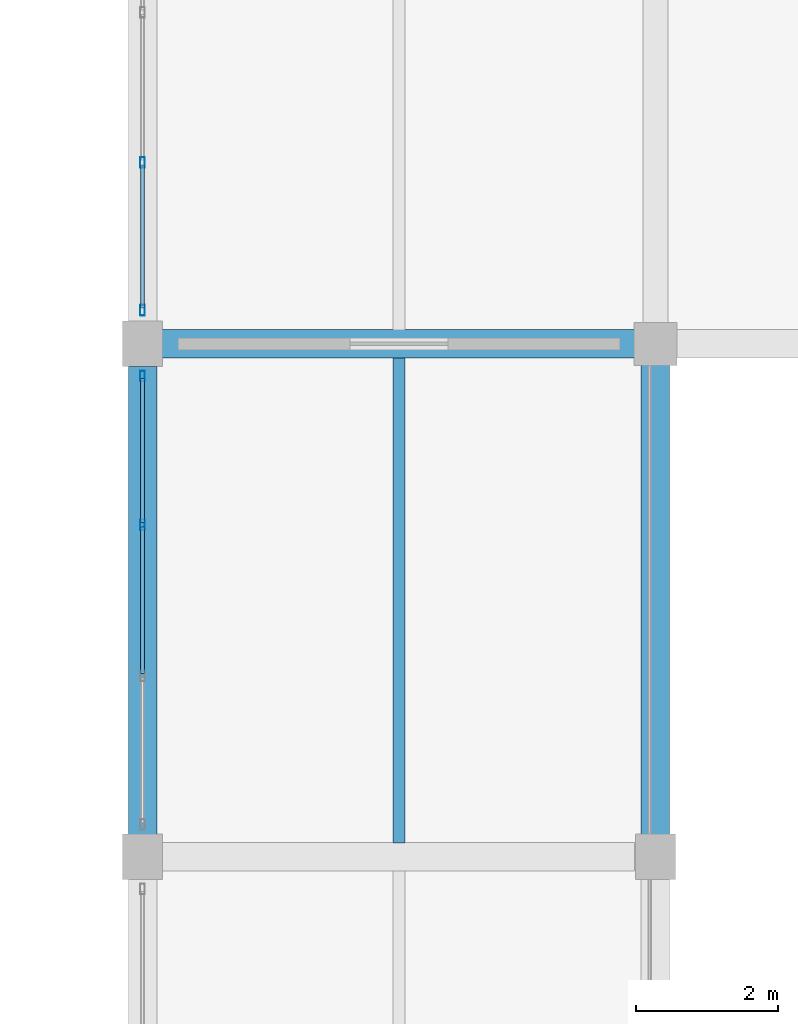
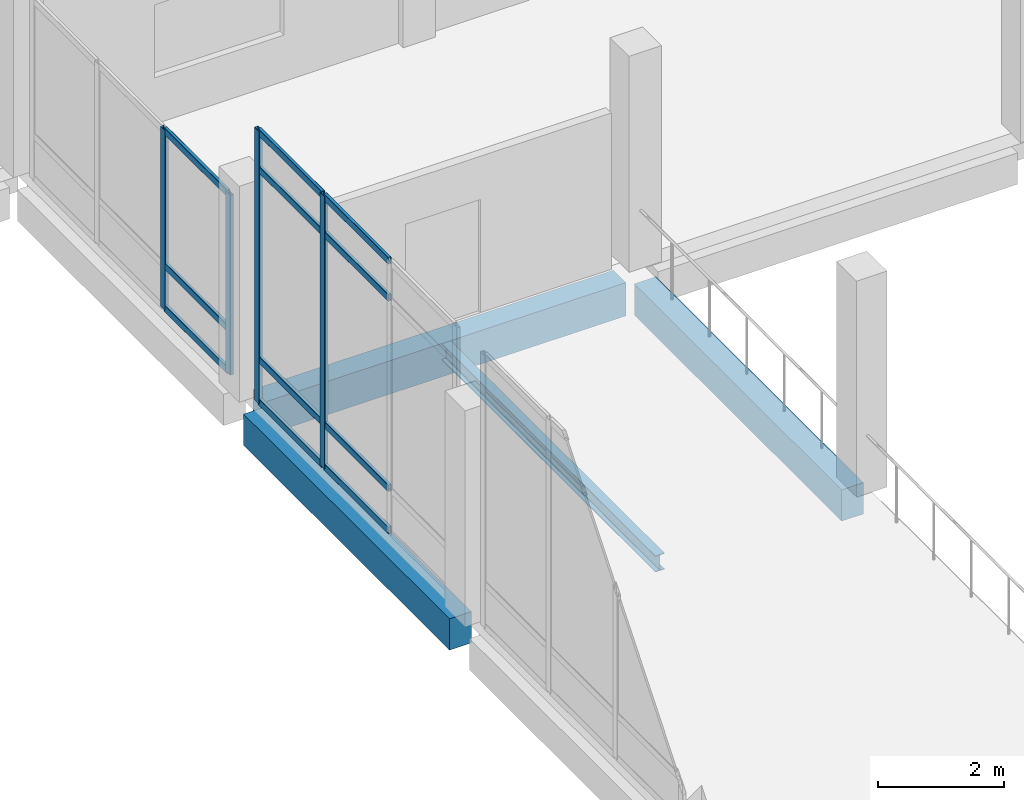
# One storey, part 98 of 158: 15 members, 4 beams, 2 elements without a shape of their own.
"""IFC4 building model written with IfcOpenShell, lengths in metres."""

from ifc_helpers import new_model, si_unit, direction, frame, origin, origin_2d, place, context, subcontext, project, spatial, rectangle, hollow_rectangle, i_section, extrude, material, material_profile, profile_set, type_object, element, aggregate, save


model = new_model("IFC4")

# Units and contexts
model_context = context("Model", 3, precision=1e-05, world=origin(), true_north=direction((0.0, 1.0)))
body_context = subcontext(model_context, "Body", "Model", "MODEL_VIEW")
ifc_project = project(units=[si_unit("LENGTHUNIT", "METRE"), si_unit("AREAUNIT", "SQUARE_METRE"), si_unit("VOLUMEUNIT", "CUBIC_METRE"), si_unit("PLANEANGLEUNIT", "RADIAN"), si_unit("MASSUNIT", "GRAM", prefix="KILO")], contexts=[model_context])

# Site, building, storey
site_placement = place(None, origin())
site = spatial("IfcSite", under=ifc_project, at=site_placement, CompositionType="ELEMENT")
building_placement = place(site_placement, origin())
building = spatial("IfcBuilding", under=site, at=building_placement, Name="Lusvemor Sports Hall", CompositionType="ELEMENT")
storey_placement = place(building_placement, frame((0.0, 0.0, 10.800048828125)))
storey = spatial("IfcBuildingStorey", under=building, at=storey_placement, Name="L02", CompositionType="ELEMENT", Elevation=10.800048828125)

# Beam
ifc_material_1 = material(Name="Concrete C40/50", Category="concrete")
ifc_material_profile_1 = material_profile(ifc_material_1, rectangle(XDim=0.39990234375, YDim=0.64990234375, at=origin_2d()), Name="RC400x650")
ifc_profile_set_1 = profile_set([ifc_material_profile_1], Name="Concrete C40/50")
beam_type_1 = type_object("IfcBeamType", Name="BEAM_RC_650", PredefinedType="BEAM", material=ifc_profile_set_1)
beam_1_placement = place(storey_placement, frame((133.47607421875, 75.60009765625, -0.5849609375), z_axis=(1.0, 0.0, 0.0), x_axis=(0.0, 1.0, 0.0)))
element("IfcBeam", 1, at=beam_1_placement, inside=storey, type_object=beam_type_1, Name="Beam L02 K:15-16", PredefinedType="BEAM", context=body_context, shape_type="SweptSolid", body=[
    extrude(rectangle(XDim=0.39990234375, YDim=0.64990234375, at=origin_2d()), origin(), (0.0, 0.0, 1.0), 6.6279296875),
])

# Curtain wall, members
ifc_material_2 = material(Name="Thermally broken bronze-anodized aluminium", Category="aluminium")
curtain_wall_type_1 = type_object("IfcCurtainWallType", Name="CW_CLIMB_D", PredefinedType="NOTDEFINED", material=ifc_material_2)
curtain_wall_1_placement = place(storey_placement, origin())
curtain_wall_1 = element("IfcCurtainWall", 2, at=curtain_wall_1_placement, inside=storey, type_object=curtain_wall_type_1, Name="Curtain Wall CW-V3W-L02-3", PredefinedType="NOTDEFINED")
ifc_material_3 = material(Name="Thermally broken bronze-anodized aluminium", Category="aluminium")
ifc_material_profile_2 = material_profile(ifc_material_3, hollow_rectangle(XDim=0.06494140625, YDim=0.14990234375, WallThickness=0.00390625, InnerFilletRadius=0.00390625, OuterFilletRadius=0.008056640625, at=origin_2d()), Name="CWMUL150x65x4")
ifc_profile_set_2 = profile_set([ifc_material_profile_2], Name="Thermally broken bronze-anodized aluminium")
member_type_1 = type_object("IfcMemberType", Name="CW_MUL_B", PredefinedType="MULLION", material=ifc_profile_set_2)
member_1_placement = place(storey_placement, frame((133.199951171875, 73.06005859375, 0.0), z_axis=(0.0, 0.0, 1.0), x_axis=(-1.0, 0.0, 0.0)))
member_1 = element("IfcMember", 3, at=member_1_placement, type_object=member_type_1, Name="CW04 mullion 3", PredefinedType="MULLION", context=body_context, shape_type="SweptSolid", body=[
    extrude(hollow_rectangle(XDim=0.06494140625, YDim=0.14990234375, WallThickness=0.00390625, InnerFilletRadius=0.00390625, OuterFilletRadius=0.008056640625, at=origin_2d()), origin(), (0.0, 0.0, 1.0), 5.300048828125),
])
member_2_placement = place(storey_placement, frame((133.199951171875, 75.1474609375, 0.0), z_axis=(0.0, 0.0, 1.0), x_axis=(-1.0, 0.0, 0.0)))
member_2 = element("IfcMember", 4, at=member_2_placement, type_object=member_type_1, Name="CW04 mullion 4", PredefinedType="MULLION", context=body_context, shape_type="SweptSolid", body=[
    extrude(hollow_rectangle(XDim=0.06494140625, YDim=0.14990234375, WallThickness=0.00390625, InnerFilletRadius=0.00390625, OuterFilletRadius=0.008056640625, at=origin_2d()), origin(), (0.0, 0.0, 1.0), 5.300048828125),
])

ifc_material_4 = material(Name="Thermally broken bronze-anodized aluminium", Category="aluminium")
curtain_wall_type_2 = type_object("IfcCurtainWallType", Name="CW_PASSAGE_E", PredefinedType="NOTDEFINED", material=ifc_material_4)
curtain_wall_2_placement = place(storey_placement, origin())
curtain_wall_2 = element("IfcCurtainWall", 5, at=curtain_wall_2_placement, inside=storey, type_object=curtain_wall_type_2, Name="Curtain Wall CW-NLINK-133-L02", PredefinedType="NOTDEFINED")
member_3_placement = place(storey_placement, frame((133.199951171875, 76.072509765625, 0.0), z_axis=(0.0, 0.0, 1.0), x_axis=(-1.0, 0.0, 0.0)))
member_3 = element("IfcMember", 6, at=member_3_placement, type_object=member_type_1, Name="CW05 mullion 1", PredefinedType="MULLION", context=body_context, shape_type="SweptSolid", body=[
    extrude(hollow_rectangle(XDim=0.06494140625, YDim=0.14990234375, WallThickness=0.00390625, InnerFilletRadius=0.00390625, OuterFilletRadius=0.008056640625, at=origin_2d()), origin(), (0.0, 0.0, 1.0), 3.5),
])
member_4_placement = place(storey_placement, frame((133.199951171875, 78.146728515625, 0.0), z_axis=(0.0, 0.0, 1.0), x_axis=(-1.0, 0.0, 0.0)))
member_4 = element("IfcMember", 7, at=member_4_placement, type_object=member_type_1, Name="CW05 mullion 2", PredefinedType="MULLION", context=body_context, shape_type="SweptSolid", body=[
    extrude(hollow_rectangle(XDim=0.06494140625, YDim=0.14990234375, WallThickness=0.00390625, InnerFilletRadius=0.00390625, OuterFilletRadius=0.008056640625, at=origin_2d()), origin(), (0.0, 0.0, 1.0), 3.5),
])

# Member
ifc_material_5 = material(Name="Thermally broken bronze-anodized aluminium", Category="aluminium")
ifc_material_profile_3 = material_profile(ifc_material_5, hollow_rectangle(XDim=0.06005859375, YDim=0.135009765625, WallThickness=0.00390625, InnerFilletRadius=0.00390625, OuterFilletRadius=0.008056640625, at=origin_2d()), Name="CWTRN135x60x4")
ifc_profile_set_3 = profile_set([ifc_material_profile_3], Name="Thermally broken bronze-anodized aluminium")
member_type_2 = type_object("IfcMemberType", Name="CW_TRN_B", PredefinedType="USERDEFINED", material=ifc_profile_set_3)
member_5_placement = place(storey_placement, frame((133.199951171875, 70.972412109375, 0.030029296875), z_axis=(0.0, 1.0, 0.0), x_axis=(-1.0, 0.0, 0.0)))
member_5 = element("IfcMember", 8, at=member_5_placement, type_object=member_type_2, Name="CW04 transom 2.1", ObjectType="TRANSOM", PredefinedType="USERDEFINED", context=body_context, shape_type="SweptSolid", body=[
    extrude(hollow_rectangle(XDim=0.06005859375, YDim=0.135009765625, WallThickness=0.00390625, InnerFilletRadius=0.00390625, OuterFilletRadius=0.008056640625, at=origin_2d()), origin(), (0.0, 0.0, 1.0), 2.05517578125),
])

member_6_placement = place(storey_placement, frame((133.199951171875, 70.972412109375, 0.849853515625), z_axis=(0.0, 1.0, 0.0), x_axis=(-1.0, 0.0, 0.0)))
member_6 = element("IfcMember", 9, at=member_6_placement, type_object=member_type_2, Name="CW04 transom 2.2", ObjectType="TRANSOM", PredefinedType="USERDEFINED", context=body_context, shape_type="SweptSolid", body=[
    extrude(hollow_rectangle(XDim=0.06005859375, YDim=0.135009765625, WallThickness=0.00390625, InnerFilletRadius=0.00390625, OuterFilletRadius=0.008056640625, at=origin_2d()), origin(), (0.0, 0.0, 1.0), 2.05517578125),
])

member_7_placement = place(storey_placement, frame((133.199951171875, 70.972412109375, 4.550048828125), z_axis=(0.0, 1.0, 0.0), x_axis=(-1.0, 0.0, 0.0)))
member_7 = element("IfcMember", 10, at=member_7_placement, type_object=member_type_2, Name="CW04 transom 2.3", ObjectType="TRANSOM", PredefinedType="USERDEFINED", context=body_context, shape_type="SweptSolid", body=[
    extrude(hollow_rectangle(XDim=0.06005859375, YDim=0.135009765625, WallThickness=0.00390625, InnerFilletRadius=0.00390625, OuterFilletRadius=0.008056640625, at=origin_2d()), origin(), (0.0, 0.0, 1.0), 2.05517578125),
])

member_8_placement = place(storey_placement, frame((133.199951171875, 70.972412109375, 5.27001953125), z_axis=(0.0, 1.0, 0.0), x_axis=(-1.0, 0.0, 0.0)))
member_8 = element("IfcMember", 11, at=member_8_placement, type_object=member_type_2, Name="CW04 transom 2.4", ObjectType="TRANSOM", PredefinedType="USERDEFINED", context=body_context, shape_type="SweptSolid", body=[
    extrude(hollow_rectangle(XDim=0.06005859375, YDim=0.135009765625, WallThickness=0.00390625, InnerFilletRadius=0.00390625, OuterFilletRadius=0.008056640625, at=origin_2d()), origin(), (0.0, 0.0, 1.0), 2.05517578125),
])

member_9_placement = place(storey_placement, frame((133.199951171875, 73.092529296875, 0.030029296875), z_axis=(0.0, 1.0, 0.0), x_axis=(-1.0, 0.0, 0.0)))
member_9 = element("IfcMember", 12, at=member_9_placement, type_object=member_type_2, Name="CW04 transom 3.1", ObjectType="TRANSOM", PredefinedType="USERDEFINED", context=body_context, shape_type="SweptSolid", body=[
    extrude(hollow_rectangle(XDim=0.06005859375, YDim=0.135009765625, WallThickness=0.00390625, InnerFilletRadius=0.00390625, OuterFilletRadius=0.008056640625, at=origin_2d()), origin(), (0.0, 0.0, 1.0), 2.0224609375),
])

member_10_placement = place(storey_placement, frame((133.199951171875, 73.092529296875, 0.849853515625), z_axis=(0.0, 1.0, 0.0), x_axis=(-1.0, 0.0, 0.0)))
member_10 = element("IfcMember", 13, at=member_10_placement, type_object=member_type_2, Name="CW04 transom 3.2", ObjectType="TRANSOM", PredefinedType="USERDEFINED", context=body_context, shape_type="SweptSolid", body=[
    extrude(hollow_rectangle(XDim=0.06005859375, YDim=0.135009765625, WallThickness=0.00390625, InnerFilletRadius=0.00390625, OuterFilletRadius=0.008056640625, at=origin_2d()), origin(), (0.0, 0.0, 1.0), 2.0224609375),
])

member_11_placement = place(storey_placement, frame((133.199951171875, 73.092529296875, 4.550048828125), z_axis=(0.0, 1.0, 0.0), x_axis=(-1.0, 0.0, 0.0)))
member_11 = element("IfcMember", 14, at=member_11_placement, type_object=member_type_2, Name="CW04 transom 3.3", ObjectType="TRANSOM", PredefinedType="USERDEFINED", context=body_context, shape_type="SweptSolid", body=[
    extrude(hollow_rectangle(XDim=0.06005859375, YDim=0.135009765625, WallThickness=0.00390625, InnerFilletRadius=0.00390625, OuterFilletRadius=0.008056640625, at=origin_2d()), origin(), (0.0, 0.0, 1.0), 2.0224609375),
])

member_12_placement = place(storey_placement, frame((133.199951171875, 73.092529296875, 5.27001953125), z_axis=(0.0, 1.0, 0.0), x_axis=(-1.0, 0.0, 0.0)))
member_12 = element("IfcMember", 15, at=member_12_placement, type_object=member_type_2, Name="CW04 transom 3.4", ObjectType="TRANSOM", PredefinedType="USERDEFINED", context=body_context, shape_type="SweptSolid", body=[
    extrude(hollow_rectangle(XDim=0.06005859375, YDim=0.135009765625, WallThickness=0.00390625, InnerFilletRadius=0.00390625, OuterFilletRadius=0.008056640625, at=origin_2d()), origin(), (0.0, 0.0, 1.0), 2.0224609375),
])

aggregate(curtain_wall_1, [member_1, member_2, member_5, member_6, member_7, member_8, member_9, member_10, member_11, member_12])

member_13_placement = place(storey_placement, frame((133.199951171875, 76.10498046875, 0.030029296875), z_axis=(0.0, 1.0, 0.0), x_axis=(-1.0, 0.0, 0.0)))
member_13 = element("IfcMember", 16, at=member_13_placement, type_object=member_type_2, Name="CW05 transom 1.1", ObjectType="TRANSOM", PredefinedType="USERDEFINED", context=body_context, shape_type="SweptSolid", body=[
    extrude(hollow_rectangle(XDim=0.06005859375, YDim=0.135009765625, WallThickness=0.00390625, InnerFilletRadius=0.00390625, OuterFilletRadius=0.008056640625, at=origin_2d()), origin(), (0.0, 0.0, 1.0), 2.00927734375),
])

member_14_placement = place(storey_placement, frame((133.199951171875, 76.10498046875, 0.849853515625), z_axis=(0.0, 1.0, 0.0), x_axis=(-1.0, 0.0, 0.0)))
member_14 = element("IfcMember", 17, at=member_14_placement, type_object=member_type_2, Name="CW05 transom 1.2", ObjectType="TRANSOM", PredefinedType="USERDEFINED", context=body_context, shape_type="SweptSolid", body=[
    extrude(hollow_rectangle(XDim=0.06005859375, YDim=0.135009765625, WallThickness=0.00390625, InnerFilletRadius=0.00390625, OuterFilletRadius=0.008056640625, at=origin_2d()), origin(), (0.0, 0.0, 1.0), 2.00927734375),
])

member_15_placement = place(storey_placement, frame((133.199951171875, 76.10498046875, 3.469970703125), z_axis=(0.0, 1.0, 0.0), x_axis=(-1.0, 0.0, 0.0)))
member_15 = element("IfcMember", 18, at=member_15_placement, type_object=member_type_2, Name="CW05 transom 1.3", ObjectType="TRANSOM", PredefinedType="USERDEFINED", context=body_context, shape_type="SweptSolid", body=[
    extrude(hollow_rectangle(XDim=0.06005859375, YDim=0.135009765625, WallThickness=0.00390625, InnerFilletRadius=0.00390625, OuterFilletRadius=0.008056640625, at=origin_2d()), origin(), (0.0, 0.0, 1.0), 2.00927734375),
])

aggregate(curtain_wall_2, [member_3, member_4, member_13, member_14, member_15])

# Beams
ifc_material_6 = material(Name="Steel S355", Category="steel")
ifc_material_profile_4 = material_profile(ifc_material_6, i_section(OverallWidth=0.1669921875, OverallDepth=0.31689453125, WebThickness=0.007568359375, FlangeThickness=0.01318359375, FilletRadius=0.014892578125, at=origin_2d()), Name="W310x52.0")
ifc_profile_set_4 = profile_set([ifc_material_profile_4], Name="Steel S355")
beam_type_2 = type_object("IfcBeamType", Name="JOIST_ST_310M", PredefinedType="JOIST", material=ifc_profile_set_4)
beam_2_placement = place(storey_placement, frame((136.800048828125, 68.595947265625, -0.422607421875), z_axis=(0.0, 1.0, 0.0), x_axis=(-1.0, 0.0, 0.0)))
element("IfcBeam", 19, at=beam_2_placement, inside=storey, type_object=beam_type_2, Name="Secondary Joist L02 15-16/J-K #1", PredefinedType="JOIST", context=body_context, shape_type="SweptSolid", body=[
    extrude(i_section(OverallWidth=0.1669921875, OverallDepth=0.31689453125, WebThickness=0.007568359375, FlangeThickness=0.01318359375, FilletRadius=0.014892578125, at=origin_2d()), origin(), (0.0, 0.0, 1.0), 6.80810546875),
])
ifc_material_7 = material(Name="Concrete C40/50", Category="concrete")
ifc_material_profile_5 = material_profile(ifc_material_7, rectangle(XDim=0.39990234375, YDim=0.610107421875, at=origin_2d()), Name="RC400x610")
ifc_profile_set_5 = profile_set([ifc_material_profile_5], Name="Concrete C40/50")
beam_type_3 = type_object("IfcBeamType", Name="SPAND_EXT_650", PredefinedType="SPANDREL", material=ifc_profile_set_5)
beam_3_placement = place(storey_placement, frame((133.199951171875, 68.716064453125, -0.56494140625), z_axis=(0.0, 1.0, 0.0), x_axis=(-1.0, 0.0, 0.0)))
element("IfcBeam", 20, at=beam_3_placement, inside=storey, type_object=beam_type_3, Name="Beam L02 15:J-K", PredefinedType="SPANDREL", context=body_context, shape_type="SweptSolid", body=[
    extrude(rectangle(XDim=0.39990234375, YDim=0.610107421875, at=origin_2d()), origin(), (0.0, 0.0, 1.0), 6.56787109375),
])
beam_4_placement = place(storey_placement, frame((140.39990234375, 68.696044921875, -0.56494140625), z_axis=(0.0, 1.0, 0.0), x_axis=(-1.0, 0.0, 0.0)))
element("IfcBeam", 21, at=beam_4_placement, inside=storey, type_object=beam_type_3, Name="Beam L02 16:J-K", PredefinedType="SPANDREL", context=body_context, shape_type="SweptSolid", body=[
    extrude(rectangle(XDim=0.39990234375, YDim=0.610107421875, at=origin_2d()), origin(), (0.0, 0.0, 1.0), 6.60791015625),
])

save(model, "model.ifc")
